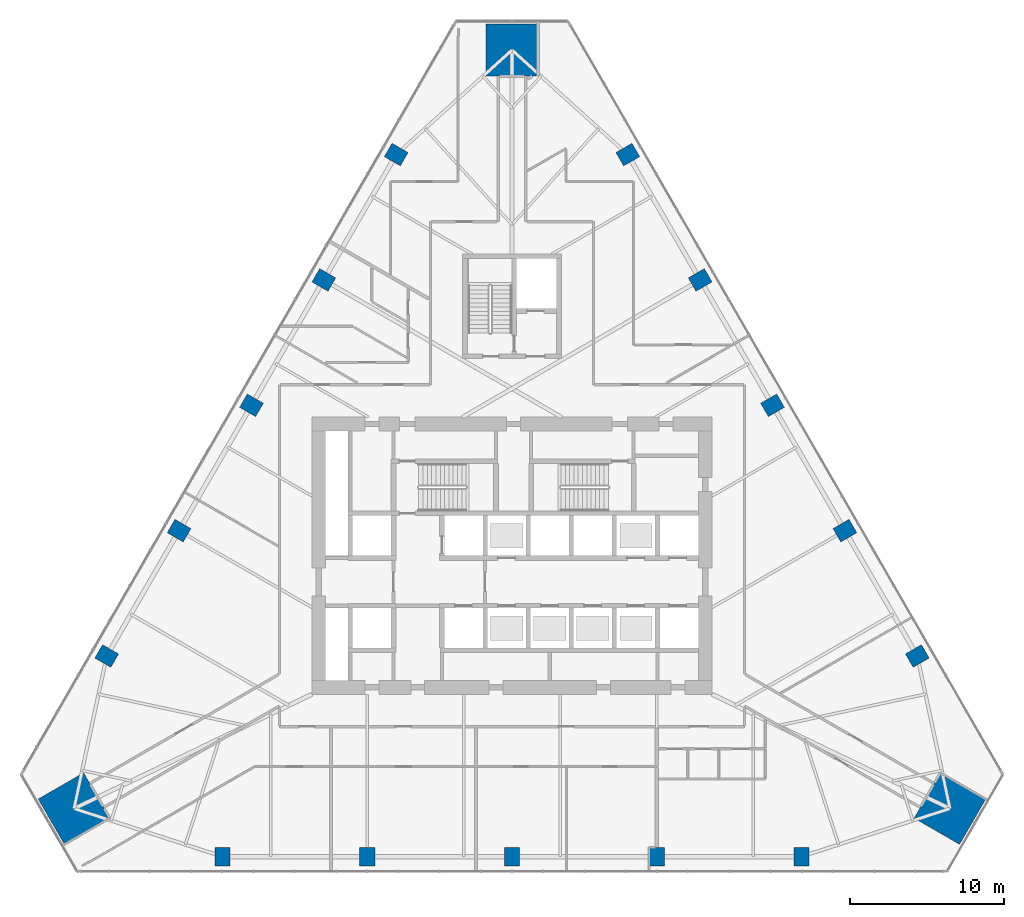
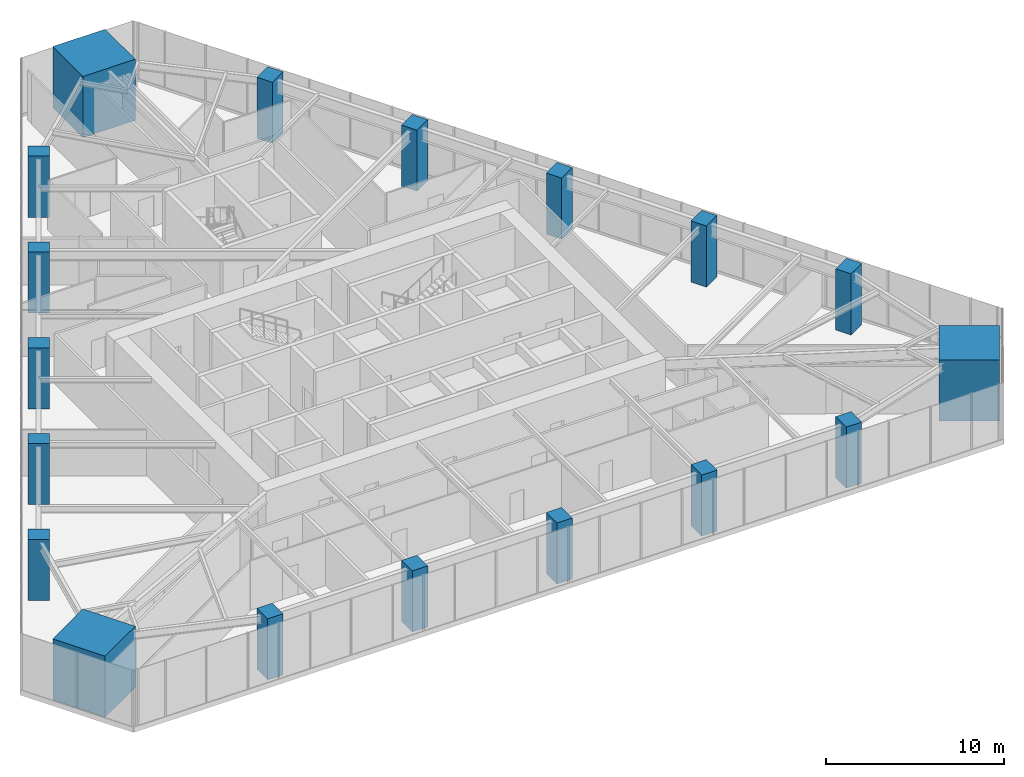
# One storey, part 1 of 21: 18 columns.
"""IFC4 building model written with IfcOpenShell, lengths in metres."""

from ifc_helpers import new_model, si_unit, direction, frame, origin, origin_2d, place, context, subcontext, project, spatial, rectangle, extrude, material, material_profile, profile_set, type_object, element, save


model = new_model("IFC4")

# Units and contexts
model_context = context("Model", 3, precision=1e-05, world=origin(), true_north=direction((0.0, 1.0)))
body_context = subcontext(model_context, "Body", "Model", "MODEL_VIEW")
ifc_project = project(units=[si_unit("LENGTHUNIT", "METRE"), si_unit("AREAUNIT", "SQUARE_METRE"), si_unit("VOLUMEUNIT", "CUBIC_METRE"), si_unit("PLANEANGLEUNIT", "RADIAN"), si_unit("MASSUNIT", "GRAM", prefix="KILO")], contexts=[model_context])

# Site, building, storey
site_placement = place(None, origin())
site = spatial("IfcSite", under=ifc_project, at=site_placement, CompositionType="ELEMENT")
building_placement = place(site_placement, origin())
building = spatial("IfcBuilding", under=site, at=building_placement, Name="Firuza Gate Tower and Library", CompositionType="ELEMENT")
storey_placement = place(building_placement, frame((0.0, 0.0, 98.800048828125)))
storey = spatial("IfcBuildingStorey", under=building, at=storey_placement, Name="L22", CompositionType="ELEMENT", Elevation=98.800048828125)

# Columns
ifc_material_1 = material(Name="Concrete C80/95", Category="concrete")
ifc_material_profile_1 = material_profile(ifc_material_1, rectangle(XDim=3.39990234375, YDim=3.39990234375, at=origin_2d()))
ifc_profile_set_1 = profile_set([ifc_material_profile_1], Name="Concrete C80/95")
column_type_1 = type_object("IfcColumnType", Name="Mega column 3400x3400 C80/95", PredefinedType="COLUMN", material=ifc_profile_set_1)
for number, where, z_axis, x_axis, name in (
    (1, (103.451171875, 58.57373046875, 0.0), (0.0, 0.0, 1.0), (0.5, 0.866025403784, 0.0), "Mega column SE L22"),
    (2, (75.0, 107.852783203125, 0.0), (0.0, 0.0, 1.0), (-1.0, 0.0, 0.0), "Mega column N L22"),
    (3, (46.548828125, 58.57373046875, 0.0), (0.0, 0.0, 1.0), (0.5, -0.866025403784, 0.0), "Mega column SW L22"),
):
    element("IfcColumn", number, at=place(storey_placement, frame(where, z_axis=z_axis, x_axis=x_axis)), inside=storey, type_object=column_type_1, Name=name, PredefinedType="COLUMN", context=body_context, shape_type="SweptSolid", body=[
        extrude(rectangle(XDim=3.39990234375, YDim=3.39990234375, at=origin_2d()), origin(), (0.0, 0.0, 1.0), 4.199951171875),
    ])
ifc_material_2 = material(Name="Concrete C60/75", Category="concrete")
ifc_material_profile_2 = material_profile(ifc_material_2, rectangle(XDim=1.0, YDim=1.199951171875, at=origin_2d()))
ifc_profile_set_2 = profile_set([ifc_material_profile_2], Name="Concrete C60/75")
column_type_2 = type_object("IfcColumnType", Name="Perimeter column 1000x1200 C60/75", PredefinedType="COLUMN", material=ifc_profile_set_2)
for number, where, z_axis, x_axis, name in (
    (4, (56.193359375, 55.4560546875, -0.00048828125), (0.0, 0.0, 1.0), (1.0, 0.0, 0.0), "Column S1 L22"),
    (5, (65.5966796875, 55.4560546875, -0.00048828125), (0.0, 0.0, 1.0), (1.0, 0.0, 0.0), "Column S2 L22"),
    (6, (75.0, 55.4560546875, -0.00048828125), (0.0, 0.0, 1.0), (1.0, 0.0, 0.0), "Column S3 L22"),
    (7, (84.4033203125, 55.4560546875, -0.00048828125), (0.0, 0.0, 1.0), (1.0, 0.0, 0.0), "Column S4 L22"),
    (8, (93.806640625, 55.4560546875, -0.00048828125), (0.0, 0.0, 1.0), (1.0, 0.0, 0.0), "Column S5 L22"),
    (9, (101.3291015625, 68.48486328125, -0.00048828125), (0.0, 0.0, 1.0), (-0.5, 0.866025403784, 0.0), "Column E1 L22"),
    (10, (96.627197265625, 76.62841796875, -0.00048828125), (0.0, 0.0, 1.0), (-0.5, 0.866025403784, 0.0), "Column E2 L22"),
    (11, (91.925537109375, 84.77197265625, -0.00048828125), (0.0, 0.0, 1.0), (-0.5, 0.866025403784, 0.0), "Column E3 L22"),
    (12, (87.223876953125, 92.91552734375, -0.00048828125), (0.0, 0.0, 1.0), (-0.5, 0.866025403784, 0.0), "Column E4 L22"),
    (13, (82.522216796875, 101.05908203125, -0.00048828125), (0.0, 0.0, 1.0), (-0.5, 0.866025403784, 0.0), "Column E5 L22"),
    (14, (67.477783203125, 101.05908203125, -0.00048828125), (0.0, 0.0, 1.0), (-0.5, -0.866025403784, 0.0), "Column W1 L22"),
    (15, (62.776123046875, 92.91552734375, -0.00048828125), (0.0, 0.0, 1.0), (-0.5, -0.866025403784, 0.0), "Column W2 L22"),
    (16, (58.074462890625, 84.77197265625, -0.00048828125), (0.0, 0.0, 1.0), (-0.5, -0.866025403784, 0.0), "Column W3 L22"),
    (17, (53.372802734375, 76.62841796875, -0.00048828125), (0.0, 0.0, 1.0), (-0.5, -0.866025403784, 0.0), "Column W4 L22"),
    (18, (48.6708984375, 68.48486328125, -0.00048828125), (0.0, 0.0, 1.0), (-0.5, -0.866025403784, 0.0), "Column W5 L22"),
):
    element("IfcColumn", number, at=place(storey_placement, frame(where, z_axis=z_axis, x_axis=x_axis)), inside=storey, type_object=column_type_2, Name=name, PredefinedType="COLUMN", context=body_context, shape_type="SweptSolid", body=[
        extrude(rectangle(XDim=1.0, YDim=1.199951171875, at=origin_2d()), origin(), (0.0, 0.0, 1.0), 4.200439453125),
    ])

save(model, "model.ifc")
